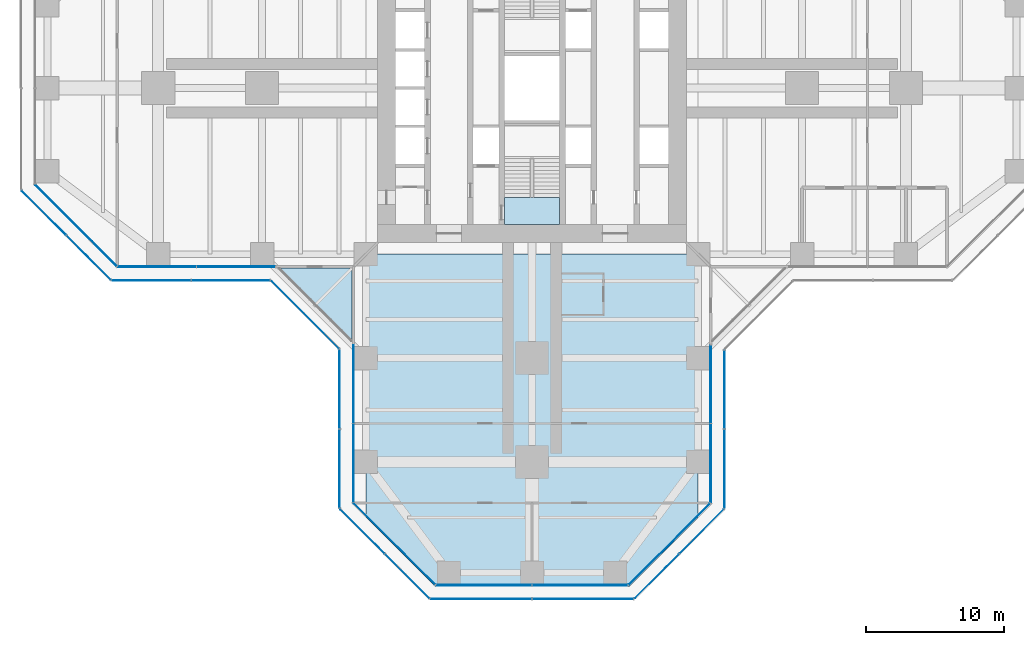
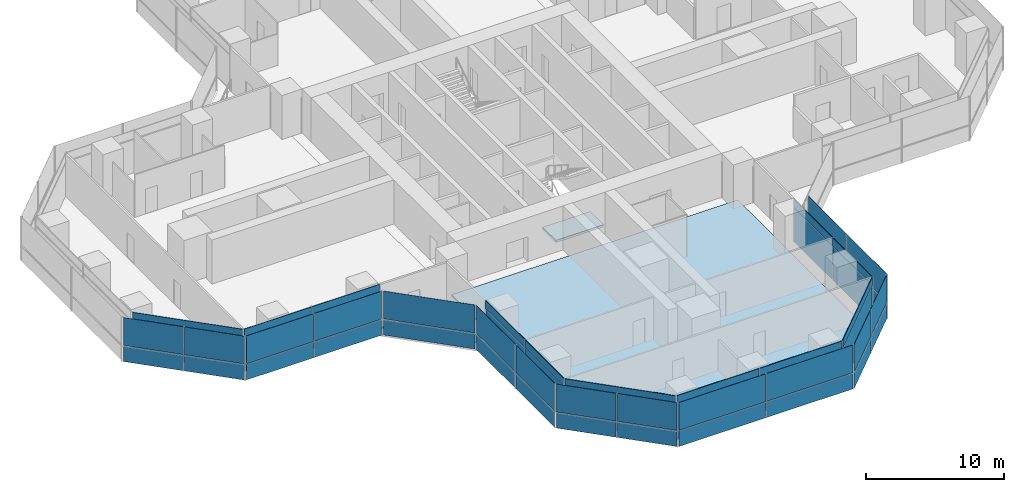
# One storey, part 14 of 22: 52 plates, 3 slabs, 16 elements without a shape of their own.
"""IFC4 building model written with IfcOpenShell, lengths in metres."""

from ifc_helpers import new_model, si_unit, direction, frame, origin, origin_2d, place, context, subcontext, project, spatial, polyline, rectangle, outline, extrude, material, layer, layer_set, type_object, element, aggregate, save


model = new_model("IFC4")

# Units and contexts
model_context = context("Model", 3, precision=1e-05, world=origin(), true_north=direction((0.0, 1.0)))
body_context = subcontext(model_context, "Body", "Model", "MODEL_VIEW")
ifc_project = project(units=[si_unit("LENGTHUNIT", "METRE"), si_unit("AREAUNIT", "SQUARE_METRE"), si_unit("VOLUMEUNIT", "CUBIC_METRE"), si_unit("PLANEANGLEUNIT", "RADIAN"), si_unit("MASSUNIT", "GRAM", prefix="KILO")], contexts=[model_context])

# Site, building, storey
site_placement = place(None, origin())
site = spatial("IfcSite", under=ifc_project, at=site_placement, CompositionType="ELEMENT")
building_placement = place(site_placement, origin())
building = spatial("IfcBuilding", under=site, at=building_placement, Name="Mizan Broadcast Tower", CompositionType="ELEMENT")
storey_placement = place(building_placement, frame((0.0, 0.0, 82.5)))
storey = spatial("IfcBuildingStorey", under=building, at=storey_placement, Name="L17", CompositionType="ELEMENT", Elevation=82.5)

# Slab
ifc_material_1 = material(Name="Concrete C32/40", Category="concrete")
ifc_layer_1 = layer(ifc_material_1, 0.1298828125)
ifc_layer_set_1 = layer_set([ifc_layer_1], Name="Concrete C32/40")
slab_type_1 = type_object("IfcSlabType", Name="COMPOSITE DECK SLAB 130", PredefinedType="FLOOR", material=ifc_layer_set_1)
slab_1_placement = place(storey_placement, frame((0.0, 0.0, -0.1298828125)))
element("IfcSlab", 1, at=slab_1_placement, inside=storey, type_object=slab_type_1, Name="Floor slab L17 south arm", PredefinedType="FLOOR", context=body_context, shape_type="SweptSolid", body=[
    extrude(outline(polyline([(7.0, -36.0), (12.0, -31.0), (12.0, -12.0), (-12.0, -12.0), (-12.0, -31.0), (-7.0, -36.0), (7.0, -36.0)])), origin(), (0.0, 0.0, 1.0), 0.1298828125),
])

# Curtain wall, plate
ifc_material_2 = material(Name="Aluminium framed glazing", Category="aluminium")
curtain_wall_type_1 = type_object("IfcCurtainWallType", Name="INNER SKIN LOW ZONE", PredefinedType="USERDEFINED", material=ifc_material_2)
curtain_wall_1_placement = place(storey_placement, origin())
curtain_wall_1 = element("IfcCurtainWall", 2, at=curtain_wall_1_placement, inside=storey, type_object=curtain_wall_type_1, Name="Inner skin low zone L17 W chamfer", ObjectType="INNER SKIN LOW ZONE", PredefinedType="USERDEFINED")
ifc_material_3 = material(Name="Double glazing, clear low-e", Category="glass")
ifc_layer_2 = layer(ifc_material_3, 0.028076171875)
ifc_layer_set_2 = layer_set([ifc_layer_2], Name="Double glazing, clear low-e")
plate_type_1 = type_object("IfcPlateType", Name="INNER SKIN GLAZING UNIT", PredefinedType="CURTAIN_PANEL", material=ifc_layer_set_2)
plate_1_placement = place(storey_placement, frame((-32.92919921875, -9.92919921875, 0.0), z_axis=(0.0, 0.0, 1.0), x_axis=(0.707106781187, -0.707106781187, 0.0)))
plate_1 = element("IfcPlate", 3, at=plate_1_placement, type_object=plate_type_1, Name="Inner skin low zone L17 W chamfer panel 1.1", PredefinedType="CURTAIN_PANEL", context=body_context, shape_type="SweptSolid", body=[
    extrude(rectangle(XDim=8.282470703125, YDim=0.028076171875, at=origin_2d()), origin(), (0.0, 0.0, 1.0), 3.0),
])

# Curtain wall, plates
curtain_wall_2_placement = place(storey_placement, origin())
curtain_wall_2 = element("IfcCurtainWall", 4, at=curtain_wall_2_placement, inside=storey, type_object=curtain_wall_type_1, Name="Inner skin low zone L17 W side", ObjectType="INNER SKIN LOW ZONE", PredefinedType="USERDEFINED")
plate_2_placement = place(storey_placement, frame((-27.078857421875, -12.89990234375, 0.0), z_axis=(0.0, 0.0, 1.0), x_axis=(1.0, 0.0, 0.0)))
plate_2 = element("IfcPlate", 5, at=plate_2_placement, type_object=plate_type_1, Name="Inner skin low zone L17 W side panel 1.1", PredefinedType="CURTAIN_PANEL", context=body_context, shape_type="SweptSolid", body=[
    extrude(rectangle(XDim=5.639404296875, YDim=0.028076171875, at=origin_2d()), origin(), (0.0, 0.0, 1.0), 3.0),
])
plate_3_placement = place(storey_placement, frame((-21.379638671875, -12.89990234375, 0.0), z_axis=(0.0, 0.0, 1.0), x_axis=(1.0, 0.0, 0.0)))
plate_3 = element("IfcPlate", 6, at=plate_3_placement, type_object=plate_type_1, Name="Inner skin low zone L17 W side panel 2.1", PredefinedType="CURTAIN_PANEL", context=body_context, shape_type="SweptSolid", body=[
    extrude(rectangle(XDim=5.639404296875, YDim=0.028076171875, at=origin_2d()), origin(), (0.0, 0.0, 1.0), 3.0),
])

curtain_wall_3_placement = place(storey_placement, origin())
curtain_wall_3 = element("IfcCurtainWall", 7, at=curtain_wall_3_placement, inside=storey, type_object=curtain_wall_type_1, Name="Inner skin low zone L17 S side", ObjectType="INNER SKIN LOW ZONE", PredefinedType="USERDEFINED")
plate_4_placement = place(storey_placement, frame((-12.89990234375, -21.379638671875, 0.0), z_axis=(0.0, 0.0, 1.0), x_axis=(0.0, -1.0, 0.0)))
plate_4 = element("IfcPlate", 8, at=plate_4_placement, type_object=plate_type_1, Name="Inner skin low zone L17 S side panel 1.1", PredefinedType="CURTAIN_PANEL", context=body_context, shape_type="SweptSolid", body=[
    extrude(rectangle(XDim=5.639404296875, YDim=0.028076171875, at=origin_2d()), origin(), (0.0, 0.0, 1.0), 3.0),
])
plate_5_placement = place(storey_placement, frame((-12.89990234375, -27.078857421875, 0.0), z_axis=(0.0, 0.0, 1.0), x_axis=(0.0, -1.0, 0.0)))
plate_5 = element("IfcPlate", 9, at=plate_5_placement, type_object=plate_type_1, Name="Inner skin low zone L17 S side panel 2.1", PredefinedType="CURTAIN_PANEL", context=body_context, shape_type="SweptSolid", body=[
    extrude(rectangle(XDim=5.639404296875, YDim=0.028076171875, at=origin_2d()), origin(), (0.0, 0.0, 1.0), 3.0),
])

# Curtain wall, plate
curtain_wall_4_placement = place(storey_placement, origin())
curtain_wall_4 = element("IfcCurtainWall", 10, at=curtain_wall_4_placement, inside=storey, type_object=curtain_wall_type_1, Name="Inner skin low zone L17 S chamfer", ObjectType="INNER SKIN LOW ZONE", PredefinedType="USERDEFINED")
plate_6_placement = place(storey_placement, frame((-9.92919921875, -32.92919921875, 0.0), z_axis=(0.0, 0.0, 1.0), x_axis=(0.707106781187, -0.707106781187, 0.0)))
plate_6 = element("IfcPlate", 11, at=plate_6_placement, type_object=plate_type_1, Name="Inner skin low zone L17 S chamfer panel 1.1", PredefinedType="CURTAIN_PANEL", context=body_context, shape_type="SweptSolid", body=[
    extrude(rectangle(XDim=8.282470703125, YDim=0.028076171875, at=origin_2d()), origin(), (0.0, 0.0, 1.0), 3.0),
])

# Curtain wall, plates
curtain_wall_5_placement = place(storey_placement, origin())
curtain_wall_5 = element("IfcCurtainWall", 12, at=curtain_wall_5_placement, inside=storey, type_object=curtain_wall_type_1, Name="Inner skin low zone L17 S end", ObjectType="INNER SKIN LOW ZONE", PredefinedType="USERDEFINED")
plate_7_placement = place(storey_placement, frame((-3.46435546875, -35.89990234375, 0.0), z_axis=(0.0, 0.0, 1.0), x_axis=(1.0, 0.0, 0.0)))
plate_7 = element("IfcPlate", 13, at=plate_7_placement, type_object=plate_type_1, Name="Inner skin low zone L17 S end panel 1.1", PredefinedType="CURTAIN_PANEL", context=body_context, shape_type="SweptSolid", body=[
    extrude(rectangle(XDim=6.86865234375, YDim=0.028076171875, at=origin_2d()), origin(), (0.0, 0.0, 1.0), 3.0),
])
plate_8_placement = place(storey_placement, frame((3.46435546875, -35.89990234375, 0.0), z_axis=(0.0, 0.0, 1.0), x_axis=(1.0, 0.0, 0.0)))
plate_8 = element("IfcPlate", 14, at=plate_8_placement, type_object=plate_type_1, Name="Inner skin low zone L17 S end panel 2.1", PredefinedType="CURTAIN_PANEL", context=body_context, shape_type="SweptSolid", body=[
    extrude(rectangle(XDim=6.86865234375, YDim=0.028076171875, at=origin_2d()), origin(), (0.0, 0.0, 1.0), 3.0),
])

# Curtain wall, plate
curtain_wall_6_placement = place(storey_placement, origin())
curtain_wall_6 = element("IfcCurtainWall", 15, at=curtain_wall_6_placement, inside=storey, type_object=curtain_wall_type_1, Name="Inner skin low zone L17 S chamfer", ObjectType="INNER SKIN LOW ZONE", PredefinedType="USERDEFINED")
plate_9_placement = place(storey_placement, frame((9.92919921875, -32.92919921875, 0.0), z_axis=(0.0, 0.0, 1.0), x_axis=(0.707106781187, 0.707106781187, 0.0)))
plate_9 = element("IfcPlate", 16, at=plate_9_placement, type_object=plate_type_1, Name="Inner skin low zone L17 S chamfer panel 1.1", PredefinedType="CURTAIN_PANEL", context=body_context, shape_type="SweptSolid", body=[
    extrude(rectangle(XDim=8.282470703125, YDim=0.028076171875, at=origin_2d()), origin(), (0.0, 0.0, 1.0), 3.0),
])

# Curtain wall, plates
curtain_wall_7_placement = place(storey_placement, origin())
curtain_wall_7 = element("IfcCurtainWall", 17, at=curtain_wall_7_placement, inside=storey, type_object=curtain_wall_type_1, Name="Inner skin low zone L17 S side", ObjectType="INNER SKIN LOW ZONE", PredefinedType="USERDEFINED")
plate_10_placement = place(storey_placement, frame((12.89990234375, -27.078857421875, 0.0), z_axis=(0.0, 0.0, 1.0), x_axis=(0.0, 1.0, 0.0)))
plate_10 = element("IfcPlate", 18, at=plate_10_placement, type_object=plate_type_1, Name="Inner skin low zone L17 S side panel 1.1", PredefinedType="CURTAIN_PANEL", context=body_context, shape_type="SweptSolid", body=[
    extrude(rectangle(XDim=5.639404296875, YDim=0.028076171875, at=origin_2d()), origin(), (0.0, 0.0, 1.0), 3.0),
])
plate_11_placement = place(storey_placement, frame((12.89990234375, -21.379638671875, 0.0), z_axis=(0.0, 0.0, 1.0), x_axis=(0.0, 1.0, 0.0)))
plate_11 = element("IfcPlate", 19, at=plate_11_placement, type_object=plate_type_1, Name="Inner skin low zone L17 S side panel 2.1", PredefinedType="CURTAIN_PANEL", context=body_context, shape_type="SweptSolid", body=[
    extrude(rectangle(XDim=5.639404296875, YDim=0.028076171875, at=origin_2d()), origin(), (0.0, 0.0, 1.0), 3.0),
])

# Plate
ifc_material_4 = material(Name="Insulated aluminium spandrel panel, pale anodised", Category="aluminium")
ifc_layer_3 = layer(ifc_material_4, 0.050048828125)
ifc_layer_set_3 = layer_set([ifc_layer_3], Name="Insulated aluminium spandrel panel, pale anodised")
plate_type_2 = type_object("IfcPlateType", Name="INNER SKIN SPANDREL PANEL", PredefinedType="CURTAIN_PANEL", material=ifc_layer_set_3)
plate_12_placement = place(storey_placement, frame((-32.92919921875, -9.92919921875, 3.06005859375), z_axis=(0.0, 0.0, 1.0), x_axis=(0.707106781187, -0.707106781187, 0.0)))
plate_12 = element("IfcPlate", 20, at=plate_12_placement, type_object=plate_type_2, Name="Inner skin low zone L17 W chamfer panel 1.2", PredefinedType="CURTAIN_PANEL", context=body_context, shape_type="SweptSolid", body=[
    extrude(rectangle(XDim=8.282470703125, YDim=0.050048828125, at=origin_2d()), origin(), (0.0, 0.0, 1.0), 0.7099609375),
])

aggregate(curtain_wall_1, [plate_1, plate_12])

plate_13_placement = place(storey_placement, frame((-27.078857421875, -12.89990234375, 3.06005859375), z_axis=(0.0, 0.0, 1.0), x_axis=(1.0, 0.0, 0.0)))
plate_13 = element("IfcPlate", 21, at=plate_13_placement, type_object=plate_type_2, Name="Inner skin low zone L17 W side panel 1.2", PredefinedType="CURTAIN_PANEL", context=body_context, shape_type="SweptSolid", body=[
    extrude(rectangle(XDim=5.639404296875, YDim=0.050048828125, at=origin_2d()), origin(), (0.0, 0.0, 1.0), 0.7099609375),
])

plate_14_placement = place(storey_placement, frame((-21.379638671875, -12.89990234375, 3.06005859375), z_axis=(0.0, 0.0, 1.0), x_axis=(1.0, 0.0, 0.0)))
plate_14 = element("IfcPlate", 22, at=plate_14_placement, type_object=plate_type_2, Name="Inner skin low zone L17 W side panel 2.2", PredefinedType="CURTAIN_PANEL", context=body_context, shape_type="SweptSolid", body=[
    extrude(rectangle(XDim=5.639404296875, YDim=0.050048828125, at=origin_2d()), origin(), (0.0, 0.0, 1.0), 0.7099609375),
])

aggregate(curtain_wall_2, [plate_2, plate_13, plate_3, plate_14])

plate_15_placement = place(storey_placement, frame((-12.89990234375, -21.379638671875, 3.06005859375), z_axis=(0.0, 0.0, 1.0), x_axis=(0.0, -1.0, 0.0)))
plate_15 = element("IfcPlate", 23, at=plate_15_placement, type_object=plate_type_2, Name="Inner skin low zone L17 S side panel 1.2", PredefinedType="CURTAIN_PANEL", context=body_context, shape_type="SweptSolid", body=[
    extrude(rectangle(XDim=5.639404296875, YDim=0.050048828125, at=origin_2d()), origin(), (0.0, 0.0, 1.0), 0.7099609375),
])

plate_16_placement = place(storey_placement, frame((-12.89990234375, -27.078857421875, 3.06005859375), z_axis=(0.0, 0.0, 1.0), x_axis=(0.0, -1.0, 0.0)))
plate_16 = element("IfcPlate", 24, at=plate_16_placement, type_object=plate_type_2, Name="Inner skin low zone L17 S side panel 2.2", PredefinedType="CURTAIN_PANEL", context=body_context, shape_type="SweptSolid", body=[
    extrude(rectangle(XDim=5.639404296875, YDim=0.050048828125, at=origin_2d()), origin(), (0.0, 0.0, 1.0), 0.7099609375),
])

aggregate(curtain_wall_3, [plate_4, plate_15, plate_5, plate_16])

plate_17_placement = place(storey_placement, frame((-9.92919921875, -32.92919921875, 3.06005859375), z_axis=(0.0, 0.0, 1.0), x_axis=(0.707106781187, -0.707106781187, 0.0)))
plate_17 = element("IfcPlate", 25, at=plate_17_placement, type_object=plate_type_2, Name="Inner skin low zone L17 S chamfer panel 1.2", PredefinedType="CURTAIN_PANEL", context=body_context, shape_type="SweptSolid", body=[
    extrude(rectangle(XDim=8.282470703125, YDim=0.050048828125, at=origin_2d()), origin(), (0.0, 0.0, 1.0), 0.7099609375),
])

aggregate(curtain_wall_4, [plate_6, plate_17])

plate_18_placement = place(storey_placement, frame((-3.46435546875, -35.89990234375, 3.06005859375), z_axis=(0.0, 0.0, 1.0), x_axis=(1.0, 0.0, 0.0)))
plate_18 = element("IfcPlate", 26, at=plate_18_placement, type_object=plate_type_2, Name="Inner skin low zone L17 S end panel 1.2", PredefinedType="CURTAIN_PANEL", context=body_context, shape_type="SweptSolid", body=[
    extrude(rectangle(XDim=6.86865234375, YDim=0.050048828125, at=origin_2d()), origin(), (0.0, 0.0, 1.0), 0.7099609375),
])

plate_19_placement = place(storey_placement, frame((3.46435546875, -35.89990234375, 3.06005859375), z_axis=(0.0, 0.0, 1.0), x_axis=(1.0, 0.0, 0.0)))
plate_19 = element("IfcPlate", 27, at=plate_19_placement, type_object=plate_type_2, Name="Inner skin low zone L17 S end panel 2.2", PredefinedType="CURTAIN_PANEL", context=body_context, shape_type="SweptSolid", body=[
    extrude(rectangle(XDim=6.86865234375, YDim=0.050048828125, at=origin_2d()), origin(), (0.0, 0.0, 1.0), 0.7099609375),
])

aggregate(curtain_wall_5, [plate_7, plate_18, plate_8, plate_19])

plate_20_placement = place(storey_placement, frame((9.92919921875, -32.92919921875, 3.06005859375), z_axis=(0.0, 0.0, 1.0), x_axis=(0.707106781187, 0.707106781187, 0.0)))
plate_20 = element("IfcPlate", 28, at=plate_20_placement, type_object=plate_type_2, Name="Inner skin low zone L17 S chamfer panel 1.2", PredefinedType="CURTAIN_PANEL", context=body_context, shape_type="SweptSolid", body=[
    extrude(rectangle(XDim=8.282470703125, YDim=0.050048828125, at=origin_2d()), origin(), (0.0, 0.0, 1.0), 0.7099609375),
])

aggregate(curtain_wall_6, [plate_9, plate_20])

plate_21_placement = place(storey_placement, frame((12.89990234375, -27.078857421875, 3.06005859375), z_axis=(0.0, 0.0, 1.0), x_axis=(0.0, 1.0, 0.0)))
plate_21 = element("IfcPlate", 29, at=plate_21_placement, type_object=plate_type_2, Name="Inner skin low zone L17 S side panel 1.2", PredefinedType="CURTAIN_PANEL", context=body_context, shape_type="SweptSolid", body=[
    extrude(rectangle(XDim=5.639404296875, YDim=0.050048828125, at=origin_2d()), origin(), (0.0, 0.0, 1.0), 0.7099609375),
])

plate_22_placement = place(storey_placement, frame((12.89990234375, -21.379638671875, 3.06005859375), z_axis=(0.0, 0.0, 1.0), x_axis=(0.0, 1.0, 0.0)))
plate_22 = element("IfcPlate", 30, at=plate_22_placement, type_object=plate_type_2, Name="Inner skin low zone L17 S side panel 2.2", PredefinedType="CURTAIN_PANEL", context=body_context, shape_type="SweptSolid", body=[
    extrude(rectangle(XDim=5.639404296875, YDim=0.050048828125, at=origin_2d()), origin(), (0.0, 0.0, 1.0), 0.7099609375),
])

aggregate(curtain_wall_7, [plate_10, plate_21, plate_11, plate_22])

# Curtain wall, plates
ifc_material_5 = material(Name="Aluminium framed glazing", Category="aluminium")
curtain_wall_type_2 = type_object("IfcCurtainWallType", Name="OUTER SKIN", PredefinedType="USERDEFINED", material=ifc_material_5)
curtain_wall_8_placement = place(storey_placement, origin())
curtain_wall_8 = element("IfcCurtainWall", 31, at=curtain_wall_8_placement, inside=storey, type_object=curtain_wall_type_2, Name="Outer skin L17 W chamfer", ObjectType="OUTER SKIN", PredefinedType="USERDEFINED")
ifc_material_6 = material(Name="Laminated clear glass", Category="glass")
ifc_layer_4 = layer(ifc_material_6, 0.02001953125)
ifc_layer_set_4 = layer_set([ifc_layer_4], Name="Laminated clear glass")
plate_type_3 = type_object("IfcPlateType", Name="OUTER SKIN CLEAR GLASS", PredefinedType="CURTAIN_PANEL", material=ifc_layer_set_4)
plate_23_placement = place(storey_placement, frame((-35.254150390625, -9.018798828125, 0.0), z_axis=(0.0, 0.0, 1.0), x_axis=(0.707106781187, -0.707106781187, 0.0)))
plate_23 = element("IfcPlate", 32, at=plate_23_placement, type_object=plate_type_3, Name="Outer skin L17 W chamfer panel 1.1", PredefinedType="CURTAIN_PANEL", context=body_context, shape_type="SweptSolid", body=[
    extrude(rectangle(XDim=4.495361328125, YDim=0.02001953125, at=origin_2d()), origin(), (0.0, 0.0, 1.0), 1.3701171875),
])
plate_24_placement = place(storey_placement, frame((-35.254150390625, -9.018798828125, 1.43017578125), z_axis=(0.0, 0.0, 1.0), x_axis=(0.707106781187, -0.707106781187, 0.0)))
plate_24 = element("IfcPlate", 33, at=plate_24_placement, type_object=plate_type_3, Name="Outer skin L17 W chamfer panel 1.2", PredefinedType="CURTAIN_PANEL", context=body_context, shape_type="SweptSolid", body=[
    extrude(rectangle(XDim=4.495361328125, YDim=0.02001953125, at=origin_2d()), origin(), (0.0, 0.0, 1.0), 2.469970703125),
])

curtain_wall_9_placement = place(storey_placement, origin())
curtain_wall_9 = element("IfcCurtainWall", 34, at=curtain_wall_9_placement, inside=storey, type_object=curtain_wall_type_2, Name="Outer skin L17 W side", ObjectType="OUTER SKIN", PredefinedType="USERDEFINED")
plate_25_placement = place(storey_placement, frame((-27.477783203125, -13.89990234375, 0.0), z_axis=(0.0, 0.0, 1.0), x_axis=(1.0, 0.0, 0.0)))
plate_25 = element("IfcPlate", 35, at=plate_25_placement, type_object=plate_type_3, Name="Outer skin L17 W side panel 1.1", PredefinedType="CURTAIN_PANEL", context=body_context, shape_type="SweptSolid", body=[
    extrude(rectangle(XDim=5.6298828125, YDim=0.02001953125, at=origin_2d()), origin(), (0.0, 0.0, 1.0), 1.3701171875),
])
plate_26_placement = place(storey_placement, frame((-27.477783203125, -13.89990234375, 1.43017578125), z_axis=(0.0, 0.0, 1.0), x_axis=(1.0, 0.0, 0.0)))
plate_26 = element("IfcPlate", 36, at=plate_26_placement, type_object=plate_type_3, Name="Outer skin L17 W side panel 1.2", PredefinedType="CURTAIN_PANEL", context=body_context, shape_type="SweptSolid", body=[
    extrude(rectangle(XDim=5.6298828125, YDim=0.02001953125, at=origin_2d()), origin(), (0.0, 0.0, 1.0), 2.469970703125),
])

curtain_wall_10_placement = place(storey_placement, origin())
curtain_wall_10 = element("IfcCurtainWall", 37, at=curtain_wall_10_placement, inside=storey, type_object=curtain_wall_type_2, Name="Outer skin L17 W chamfer", ObjectType="OUTER SKIN", PredefinedType="USERDEFINED")
plate_27_placement = place(storey_placement, frame((-16.386474609375, -16.386474609375, 0.0), z_axis=(0.0, 0.0, 1.0), x_axis=(0.707106781187, -0.707106781187, 0.0)))
plate_27 = element("IfcPlate", 38, at=plate_27_placement, type_object=plate_type_3, Name="Outer skin L17 W chamfer panel 1.1", PredefinedType="CURTAIN_PANEL", context=body_context, shape_type="SweptSolid", body=[
    extrude(rectangle(XDim=6.87255859375, YDim=0.02001953125, at=origin_2d()), origin(), (0.0, 0.0, 1.0), 1.3701171875),
])
plate_28_placement = place(storey_placement, frame((-16.386474609375, -16.386474609375, 1.43017578125), z_axis=(0.0, 0.0, 1.0), x_axis=(0.707106781187, -0.707106781187, 0.0)))
plate_28 = element("IfcPlate", 39, at=plate_28_placement, type_object=plate_type_3, Name="Outer skin L17 W chamfer panel 1.2", PredefinedType="CURTAIN_PANEL", context=body_context, shape_type="SweptSolid", body=[
    extrude(rectangle(XDim=6.87255859375, YDim=0.02001953125, at=origin_2d()), origin(), (0.0, 0.0, 1.0), 2.469970703125),
])
aggregate(curtain_wall_10, [plate_27, plate_28])

curtain_wall_11_placement = place(storey_placement, origin())
curtain_wall_11 = element("IfcCurtainWall", 40, at=curtain_wall_11_placement, inside=storey, type_object=curtain_wall_type_2, Name="Outer skin L17 S side", ObjectType="OUTER SKIN", PredefinedType="USERDEFINED")
plate_29_placement = place(storey_placement, frame((-13.89990234375, -21.767822265625, 0.0), z_axis=(0.0, 0.0, 1.0), x_axis=(0.0, -1.0, 0.0)))
plate_29 = element("IfcPlate", 41, at=plate_29_placement, type_object=plate_type_3, Name="Outer skin L17 S side panel 1.1", PredefinedType="CURTAIN_PANEL", context=body_context, shape_type="SweptSolid", body=[
    extrude(rectangle(XDim=5.6298828125, YDim=0.02001953125, at=origin_2d()), origin(), (0.0, 0.0, 1.0), 1.3701171875),
])
plate_30_placement = place(storey_placement, frame((-13.89990234375, -21.767822265625, 1.43017578125), z_axis=(0.0, 0.0, 1.0), x_axis=(0.0, -1.0, 0.0)))
plate_30 = element("IfcPlate", 42, at=plate_30_placement, type_object=plate_type_3, Name="Outer skin L17 S side panel 1.2", PredefinedType="CURTAIN_PANEL", context=body_context, shape_type="SweptSolid", body=[
    extrude(rectangle(XDim=5.6298828125, YDim=0.02001953125, at=origin_2d()), origin(), (0.0, 0.0, 1.0), 2.469970703125),
])

curtain_wall_12_placement = place(storey_placement, origin())
curtain_wall_12 = element("IfcCurtainWall", 43, at=curtain_wall_12_placement, inside=storey, type_object=curtain_wall_type_2, Name="Outer skin L17 S chamfer", ObjectType="OUTER SKIN", PredefinedType="USERDEFINED")
plate_31_placement = place(storey_placement, frame((-12.254150390625, -32.018798828125, 0.0), z_axis=(0.0, 0.0, 1.0), x_axis=(0.707106781187, -0.707106781187, 0.0)))
plate_31 = element("IfcPlate", 44, at=plate_31_placement, type_object=plate_type_3, Name="Outer skin L17 S chamfer panel 1.1", PredefinedType="CURTAIN_PANEL", context=body_context, shape_type="SweptSolid", body=[
    extrude(rectangle(XDim=4.495361328125, YDim=0.02001953125, at=origin_2d()), origin(), (0.0, 0.0, 1.0), 1.3701171875),
])
plate_32_placement = place(storey_placement, frame((-12.254150390625, -32.018798828125, 1.43017578125), z_axis=(0.0, 0.0, 1.0), x_axis=(0.707106781187, -0.707106781187, 0.0)))
plate_32 = element("IfcPlate", 45, at=plate_32_placement, type_object=plate_type_3, Name="Outer skin L17 S chamfer panel 1.2", PredefinedType="CURTAIN_PANEL", context=body_context, shape_type="SweptSolid", body=[
    extrude(rectangle(XDim=4.495361328125, YDim=0.02001953125, at=origin_2d()), origin(), (0.0, 0.0, 1.0), 2.469970703125),
])

curtain_wall_13_placement = place(storey_placement, origin())
curtain_wall_13 = element("IfcCurtainWall", 46, at=curtain_wall_13_placement, inside=storey, type_object=curtain_wall_type_2, Name="Outer skin L17 S end", ObjectType="OUTER SKIN", PredefinedType="USERDEFINED")
plate_33_placement = place(storey_placement, frame((-3.66650390625, -36.89990234375, 0.0), z_axis=(0.0, 0.0, 1.0), x_axis=(1.0, 0.0, 0.0)))
plate_33 = element("IfcPlate", 47, at=plate_33_placement, type_object=plate_type_3, Name="Outer skin L17 S end panel 1.1", PredefinedType="CURTAIN_PANEL", context=body_context, shape_type="SweptSolid", body=[
    extrude(rectangle(XDim=7.252685546875, YDim=0.02001953125, at=origin_2d()), origin(), (0.0, 0.0, 1.0), 1.3701171875),
])
plate_34_placement = place(storey_placement, frame((-3.66650390625, -36.89990234375, 1.43017578125), z_axis=(0.0, 0.0, 1.0), x_axis=(1.0, 0.0, 0.0)))
plate_34 = element("IfcPlate", 48, at=plate_34_placement, type_object=plate_type_3, Name="Outer skin L17 S end panel 1.2", PredefinedType="CURTAIN_PANEL", context=body_context, shape_type="SweptSolid", body=[
    extrude(rectangle(XDim=7.252685546875, YDim=0.02001953125, at=origin_2d()), origin(), (0.0, 0.0, 1.0), 2.469970703125),
])

curtain_wall_14_placement = place(storey_placement, origin())
curtain_wall_14 = element("IfcCurtainWall", 49, at=curtain_wall_14_placement, inside=storey, type_object=curtain_wall_type_2, Name="Outer skin L17 S chamfer", ObjectType="OUTER SKIN", PredefinedType="USERDEFINED")
plate_35_placement = place(storey_placement, frame((9.018798828125, -35.254150390625, 0.0), z_axis=(0.0, 0.0, 1.0), x_axis=(0.707106781187, 0.707106781187, 0.0)))
plate_35 = element("IfcPlate", 50, at=plate_35_placement, type_object=plate_type_3, Name="Outer skin L17 S chamfer panel 1.1", PredefinedType="CURTAIN_PANEL", context=body_context, shape_type="SweptSolid", body=[
    extrude(rectangle(XDim=4.495361328125, YDim=0.02001953125, at=origin_2d()), origin(), (0.0, 0.0, 1.0), 1.3701171875),
])
plate_36_placement = place(storey_placement, frame((9.018798828125, -35.254150390625, 1.43017578125), z_axis=(0.0, 0.0, 1.0), x_axis=(0.707106781187, 0.707106781187, 0.0)))
plate_36 = element("IfcPlate", 51, at=plate_36_placement, type_object=plate_type_3, Name="Outer skin L17 S chamfer panel 1.2", PredefinedType="CURTAIN_PANEL", context=body_context, shape_type="SweptSolid", body=[
    extrude(rectangle(XDim=4.495361328125, YDim=0.02001953125, at=origin_2d()), origin(), (0.0, 0.0, 1.0), 2.469970703125),
])

curtain_wall_15_placement = place(storey_placement, origin())
curtain_wall_15 = element("IfcCurtainWall", 52, at=curtain_wall_15_placement, inside=storey, type_object=curtain_wall_type_2, Name="Outer skin L17 S side", ObjectType="OUTER SKIN", PredefinedType="USERDEFINED")
plate_37_placement = place(storey_placement, frame((13.89990234375, -27.477783203125, 0.0), z_axis=(0.0, 0.0, 1.0), x_axis=(0.0, 1.0, 0.0)))
plate_37 = element("IfcPlate", 53, at=plate_37_placement, type_object=plate_type_3, Name="Outer skin L17 S side panel 1.1", PredefinedType="CURTAIN_PANEL", context=body_context, shape_type="SweptSolid", body=[
    extrude(rectangle(XDim=5.6298828125, YDim=0.02001953125, at=origin_2d()), origin(), (0.0, 0.0, 1.0), 1.3701171875),
])
plate_38_placement = place(storey_placement, frame((13.89990234375, -27.477783203125, 1.43017578125), z_axis=(0.0, 0.0, 1.0), x_axis=(0.0, 1.0, 0.0)))
plate_38 = element("IfcPlate", 54, at=plate_38_placement, type_object=plate_type_3, Name="Outer skin L17 S side panel 1.2", PredefinedType="CURTAIN_PANEL", context=body_context, shape_type="SweptSolid", body=[
    extrude(rectangle(XDim=5.6298828125, YDim=0.02001953125, at=origin_2d()), origin(), (0.0, 0.0, 1.0), 2.469970703125),
])

# Plate
ifc_material_7 = material(Name="Perforated aluminium, pale anodised", Category="aluminium")
ifc_layer_5 = layer(ifc_material_7, 0.011962890625)
ifc_layer_set_5 = layer_set([ifc_layer_5], Name="Perforated aluminium, pale anodised")
plate_type_4 = type_object("IfcPlateType", Name="OUTER SKIN PERFORATED SCREEN", PredefinedType="USERDEFINED", material=ifc_layer_set_5)
plate_39_placement = place(storey_placement, frame((-32.018798828125, -12.254150390625, 0.0), z_axis=(0.0, 0.0, 1.0), x_axis=(0.707106781187, -0.707106781187, 0.0)))
plate_39 = element("IfcPlate", 55, at=plate_39_placement, type_object=plate_type_4, Name="Outer skin L17 W chamfer panel 2.1", ObjectType="SCREEN", PredefinedType="USERDEFINED", context=body_context, shape_type="SweptSolid", body=[
    extrude(rectangle(XDim=4.495361328125, YDim=0.011962890625, at=origin_2d()), origin(), (0.0, 0.0, 1.0), 1.3701171875),
])

plate_40_placement = place(storey_placement, frame((-32.018798828125, -12.254150390625, 1.43017578125), z_axis=(0.0, 0.0, 1.0), x_axis=(0.707106781187, -0.707106781187, 0.0)))
plate_40 = element("IfcPlate", 56, at=plate_40_placement, type_object=plate_type_4, Name="Outer skin L17 W chamfer panel 2.2", ObjectType="SCREEN", PredefinedType="USERDEFINED", context=body_context, shape_type="SweptSolid", body=[
    extrude(rectangle(XDim=4.495361328125, YDim=0.011962890625, at=origin_2d()), origin(), (0.0, 0.0, 1.0), 2.469970703125),
])

aggregate(curtain_wall_8, [plate_23, plate_24, plate_39, plate_40])

plate_41_placement = place(storey_placement, frame((-21.767822265625, -13.89990234375, 0.0), z_axis=(0.0, 0.0, 1.0), x_axis=(1.0, 0.0, 0.0)))
plate_41 = element("IfcPlate", 57, at=plate_41_placement, type_object=plate_type_4, Name="Outer skin L17 W side panel 2.1", ObjectType="SCREEN", PredefinedType="USERDEFINED", context=body_context, shape_type="SweptSolid", body=[
    extrude(rectangle(XDim=5.6298828125, YDim=0.011962890625, at=origin_2d()), origin(), (0.0, 0.0, 1.0), 1.3701171875),
])

plate_42_placement = place(storey_placement, frame((-21.767822265625, -13.89990234375, 1.43017578125), z_axis=(0.0, 0.0, 1.0), x_axis=(1.0, 0.0, 0.0)))
plate_42 = element("IfcPlate", 58, at=plate_42_placement, type_object=plate_type_4, Name="Outer skin L17 W side panel 2.2", ObjectType="SCREEN", PredefinedType="USERDEFINED", context=body_context, shape_type="SweptSolid", body=[
    extrude(rectangle(XDim=5.6298828125, YDim=0.011962890625, at=origin_2d()), origin(), (0.0, 0.0, 1.0), 2.469970703125),
])

aggregate(curtain_wall_9, [plate_25, plate_26, plate_41, plate_42])

plate_43_placement = place(storey_placement, frame((-13.89990234375, -27.477783203125, 0.0), z_axis=(0.0, 0.0, 1.0), x_axis=(0.0, -1.0, 0.0)))
plate_43 = element("IfcPlate", 59, at=plate_43_placement, type_object=plate_type_4, Name="Outer skin L17 S side panel 2.1", ObjectType="SCREEN", PredefinedType="USERDEFINED", context=body_context, shape_type="SweptSolid", body=[
    extrude(rectangle(XDim=5.6298828125, YDim=0.011962890625, at=origin_2d()), origin(), (0.0, 0.0, 1.0), 1.3701171875),
])

plate_44_placement = place(storey_placement, frame((-13.89990234375, -27.477783203125, 1.43017578125), z_axis=(0.0, 0.0, 1.0), x_axis=(0.0, -1.0, 0.0)))
plate_44 = element("IfcPlate", 60, at=plate_44_placement, type_object=plate_type_4, Name="Outer skin L17 S side panel 2.2", ObjectType="SCREEN", PredefinedType="USERDEFINED", context=body_context, shape_type="SweptSolid", body=[
    extrude(rectangle(XDim=5.6298828125, YDim=0.011962890625, at=origin_2d()), origin(), (0.0, 0.0, 1.0), 2.469970703125),
])

aggregate(curtain_wall_11, [plate_29, plate_30, plate_43, plate_44])

plate_45_placement = place(storey_placement, frame((-9.018798828125, -35.254150390625, 0.0), z_axis=(0.0, 0.0, 1.0), x_axis=(0.707106781187, -0.707106781187, 0.0)))
plate_45 = element("IfcPlate", 61, at=plate_45_placement, type_object=plate_type_4, Name="Outer skin L17 S chamfer panel 2.1", ObjectType="SCREEN", PredefinedType="USERDEFINED", context=body_context, shape_type="SweptSolid", body=[
    extrude(rectangle(XDim=4.495361328125, YDim=0.011962890625, at=origin_2d()), origin(), (0.0, 0.0, 1.0), 1.3701171875),
])

plate_46_placement = place(storey_placement, frame((-9.018798828125, -35.254150390625, 1.43017578125), z_axis=(0.0, 0.0, 1.0), x_axis=(0.707106781187, -0.707106781187, 0.0)))
plate_46 = element("IfcPlate", 62, at=plate_46_placement, type_object=plate_type_4, Name="Outer skin L17 S chamfer panel 2.2", ObjectType="SCREEN", PredefinedType="USERDEFINED", context=body_context, shape_type="SweptSolid", body=[
    extrude(rectangle(XDim=4.495361328125, YDim=0.011962890625, at=origin_2d()), origin(), (0.0, 0.0, 1.0), 2.469970703125),
])

aggregate(curtain_wall_12, [plate_31, plate_32, plate_45, plate_46])

plate_47_placement = place(storey_placement, frame((3.66650390625, -36.89990234375, 0.0), z_axis=(0.0, 0.0, 1.0), x_axis=(1.0, 0.0, 0.0)))
plate_47 = element("IfcPlate", 63, at=plate_47_placement, type_object=plate_type_4, Name="Outer skin L17 S end panel 2.1", ObjectType="SCREEN", PredefinedType="USERDEFINED", context=body_context, shape_type="SweptSolid", body=[
    extrude(rectangle(XDim=7.252685546875, YDim=0.011962890625, at=origin_2d()), origin(), (0.0, 0.0, 1.0), 1.3701171875),
])

plate_48_placement = place(storey_placement, frame((3.66650390625, -36.89990234375, 1.43017578125), z_axis=(0.0, 0.0, 1.0), x_axis=(1.0, 0.0, 0.0)))
plate_48 = element("IfcPlate", 64, at=plate_48_placement, type_object=plate_type_4, Name="Outer skin L17 S end panel 2.2", ObjectType="SCREEN", PredefinedType="USERDEFINED", context=body_context, shape_type="SweptSolid", body=[
    extrude(rectangle(XDim=7.252685546875, YDim=0.011962890625, at=origin_2d()), origin(), (0.0, 0.0, 1.0), 2.469970703125),
])

aggregate(curtain_wall_13, [plate_33, plate_34, plate_47, plate_48])

plate_49_placement = place(storey_placement, frame((12.254150390625, -32.018798828125, 0.0), z_axis=(0.0, 0.0, 1.0), x_axis=(0.707106781187, 0.707106781187, 0.0)))
plate_49 = element("IfcPlate", 65, at=plate_49_placement, type_object=plate_type_4, Name="Outer skin L17 S chamfer panel 2.1", ObjectType="SCREEN", PredefinedType="USERDEFINED", context=body_context, shape_type="SweptSolid", body=[
    extrude(rectangle(XDim=4.495361328125, YDim=0.011962890625, at=origin_2d()), origin(), (0.0, 0.0, 1.0), 1.3701171875),
])

plate_50_placement = place(storey_placement, frame((12.254150390625, -32.018798828125, 1.43017578125), z_axis=(0.0, 0.0, 1.0), x_axis=(0.707106781187, 0.707106781187, 0.0)))
plate_50 = element("IfcPlate", 66, at=plate_50_placement, type_object=plate_type_4, Name="Outer skin L17 S chamfer panel 2.2", ObjectType="SCREEN", PredefinedType="USERDEFINED", context=body_context, shape_type="SweptSolid", body=[
    extrude(rectangle(XDim=4.495361328125, YDim=0.011962890625, at=origin_2d()), origin(), (0.0, 0.0, 1.0), 2.469970703125),
])

aggregate(curtain_wall_14, [plate_35, plate_36, plate_49, plate_50])

plate_51_placement = place(storey_placement, frame((13.89990234375, -21.767822265625, 0.0), z_axis=(0.0, 0.0, 1.0), x_axis=(0.0, 1.0, 0.0)))
plate_51 = element("IfcPlate", 67, at=plate_51_placement, type_object=plate_type_4, Name="Outer skin L17 S side panel 2.1", ObjectType="SCREEN", PredefinedType="USERDEFINED", context=body_context, shape_type="SweptSolid", body=[
    extrude(rectangle(XDim=5.6298828125, YDim=0.011962890625, at=origin_2d()), origin(), (0.0, 0.0, 1.0), 1.3701171875),
])

plate_52_placement = place(storey_placement, frame((13.89990234375, -21.767822265625, 1.43017578125), z_axis=(0.0, 0.0, 1.0), x_axis=(0.0, 1.0, 0.0)))
plate_52 = element("IfcPlate", 68, at=plate_52_placement, type_object=plate_type_4, Name="Outer skin L17 S side panel 2.2", ObjectType="SCREEN", PredefinedType="USERDEFINED", context=body_context, shape_type="SweptSolid", body=[
    extrude(rectangle(XDim=5.6298828125, YDim=0.011962890625, at=origin_2d()), origin(), (0.0, 0.0, 1.0), 2.469970703125),
])

aggregate(curtain_wall_15, [plate_37, plate_38, plate_51, plate_52])

# Stair, slab
ifc_material_8 = material(Name="Concrete C40/50", Category="concrete")
stair_type = type_object("IfcStairType", Name="EXIT STAIR", PredefinedType="HALF_TURN_STAIR", material=ifc_material_8)
stair_placement = place(storey_placement, origin())
stair = element("IfcStair", 69, at=stair_placement, inside=storey, type_object=stair_type, Name="Stair A L17", PredefinedType="HALF_TURN_STAIR")
ifc_material_9 = material(Name="Concrete C40/50", Category="concrete")
ifc_layer_6 = layer(ifc_material_9, 0.199951171875)
ifc_layer_set_6 = layer_set([ifc_layer_6], Name="Concrete C40/50")
slab_type_2 = type_object("IfcSlabType", Name="STAIR LANDING 200", PredefinedType="LANDING", material=ifc_layer_set_6)
slab_2_placement = place(storey_placement, frame((0.0, 0.0, -0.199951171875)))
slab_2 = element("IfcSlab", 70, at=slab_2_placement, type_object=slab_type_2, Name="A landing 1", PredefinedType="LANDING", context=body_context, shape_type="SweptSolid", body=[
    extrude(outline(polyline([(-2.0, -9.85009765625), (-2.0, -7.89990234375), (2.0, -7.89990234375), (2.0, -9.85009765625), (-2.0, -9.85009765625)])), origin(), (0.0, 0.0, 1.0), 0.199951171875),
])
aggregate(stair, [slab_2])

# Slab
ifc_material_10 = material(Name="Concrete C32/40", Category="concrete")
ifc_layer_7 = layer(ifc_material_10, 0.1298828125)
ifc_layer_set_7 = layer_set([ifc_layer_7], Name="Concrete C32/40")
slab_type_3 = type_object("IfcSlabType", Name="WINTER GARDEN SLAB 130", PredefinedType="FLOOR", material=ifc_layer_set_7)
slab_3_placement = place(storey_placement, frame((0.0, 0.0, -0.1298828125)))
element("IfcSlab", 71, at=slab_3_placement, inside=storey, type_object=slab_type_3, Name="Winter garden slab L17 W", PredefinedType="FLOOR", context=body_context, shape_type="SweptSolid", body=[
    extrude(outline(polyline([(-13.0, -13.0), (-18.5, -13.0), (-13.0, -18.5), (-13.0, -13.0)])), origin(), (0.0, 0.0, 1.0), 0.1298828125),
])

save(model, "model.ifc")
